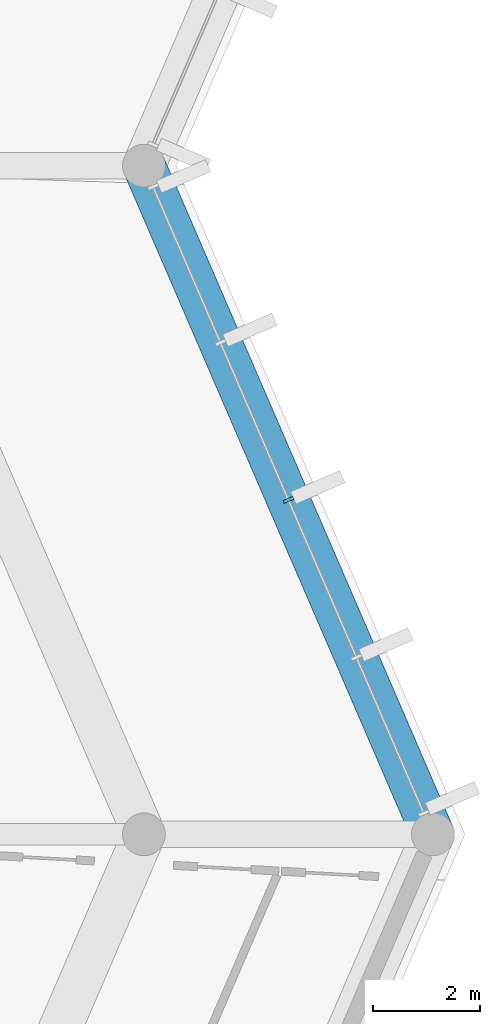
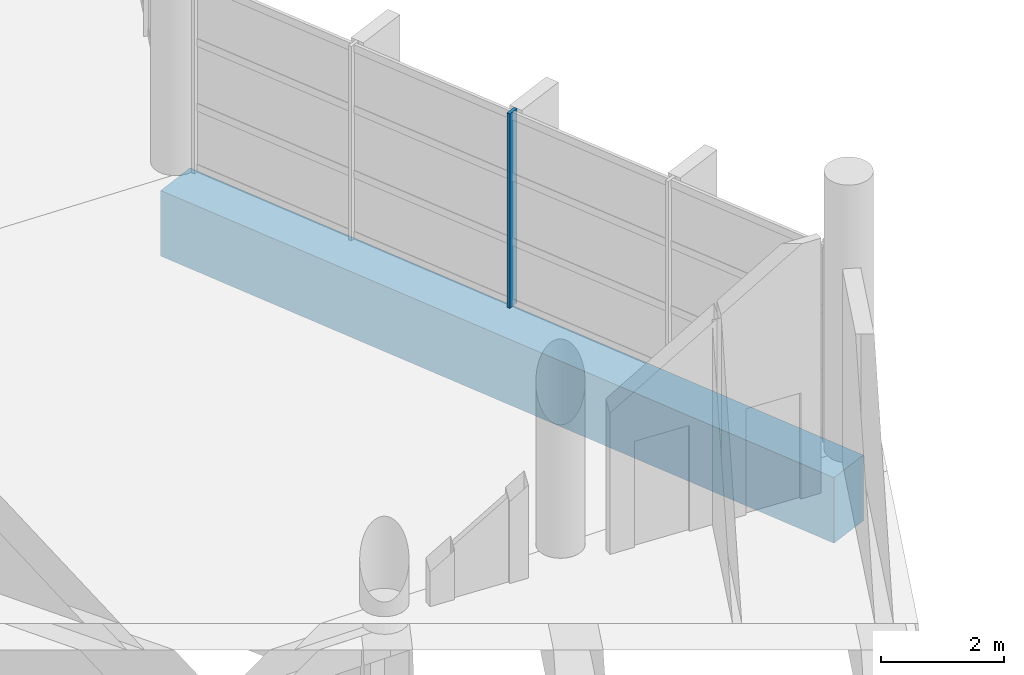
# One storey, part 62 of 271: 1 beam, 1 member, 1 element without a shape of its own.
"""IFC4 building model written with IfcOpenShell, lengths in metres."""

from ifc_helpers import new_model, si_unit, direction, frame, origin, origin_2d, place, context, subcontext, project, spatial, rectangle, extrude, material, layer, layer_set, material_profile, profile_set, type_object, element, aggregate, save


model = new_model("IFC4")

# Units and contexts
model_context = context("Model", 3, precision=1e-05, world=origin(), true_north=direction((0.0, 1.0)))
body_context = subcontext(model_context, "Body", "Model", "MODEL_VIEW")
ifc_project = project(units=[si_unit("LENGTHUNIT", "METRE"), si_unit("AREAUNIT", "SQUARE_METRE"), si_unit("VOLUMEUNIT", "CUBIC_METRE"), si_unit("PLANEANGLEUNIT", "RADIAN"), si_unit("MASSUNIT", "GRAM", prefix="KILO")], contexts=[model_context])

# Site, building, storey
site_placement = place(None, origin())
site = spatial("IfcSite", under=ifc_project, at=site_placement, CompositionType="ELEMENT")
building_placement = place(site_placement, origin())
building = spatial("IfcBuilding", under=site, at=building_placement, Name="Meseta Stadium", CompositionType="ELEMENT")
storey_placement = place(building_placement, frame((0.0, 0.0, 6.5)))
storey = spatial("IfcBuildingStorey", under=building, at=storey_placement, Name="L01", CompositionType="ELEMENT", Elevation=6.5)

# Beam
ifc_material_1 = material(Name="Concrete C40/50", Category="concrete")
ifc_material_profile_1 = material_profile(ifc_material_1, rectangle(XDim=0.800048828125, YDim=1.300048828125, at=origin_2d()), Name="RC 800x1300")
ifc_profile_set_1 = profile_set([ifc_material_profile_1], Name="Concrete C40/50")
beam_type = type_object("IfcBeamType", Name="RC beam 800x1300", PredefinedType="BEAM", material=ifc_profile_set_1)
beam_placement = place(storey_placement, frame((113.39990234375, -31.25, -1.0), z_axis=(-0.396570645327, 0.918004206562, 0.0), x_axis=(-0.918004206562, -0.396570645327, 0.0)))
element("IfcBeam", 1, at=beam_placement, inside=storey, type_object=beam_type, Name="L01 ring beam frame 2 line O", PredefinedType="BEAM", context=body_context, shape_type="SweptSolid", body=[
    extrude(rectangle(XDim=0.800048828125, YDim=1.300048828125, at=origin_2d()), origin(), (0.0, 0.0, 1.0), 13.616455078125),
])

# Curtain wall, member
ifc_material_2 = material(Name="Aluminium", Category="aluminium")
ifc_layer = layer(ifc_material_2, 0.199951171875)
ifc_layer_set = layer_set([ifc_layer], Name="Ring shopfront curtain wall")
curtain_wall_type = type_object("IfcCurtainWallType", Name="Ring shopfront curtain wall", PredefinedType="NOTDEFINED", material=ifc_layer_set)
curtain_wall_placement = place(storey_placement, origin())
curtain_wall = element("IfcCurtainWall", 2, at=curtain_wall_placement, inside=storey, type_object=curtain_wall_type, Name="Ring glazing L01 F02", PredefinedType="NOTDEFINED")
ifc_material_3 = material(Name="Aluminium", Category="aluminium")
ifc_material_profile_2 = material_profile(ifc_material_3, rectangle(XDim=0.199951171875, YDim=0.06005859375, at=origin_2d()), Name="CW 200x60")
ifc_profile_set_2 = profile_set([ifc_material_profile_2], Name="Aluminium")
member_type = type_object("IfcMemberType", Name="Ring CW mullion 60x200", PredefinedType="MULLION", material=ifc_profile_set_2)
member_placement = place(storey_placement, frame((110.699951171875, -25.0, 0.0), z_axis=(0.0, 0.0, 1.0), x_axis=(-0.91799986854, -0.396580687073, 0.0)))
member = element("IfcMember", 3, at=member_placement, type_object=member_type, Name="CWR1 mullion 3", PredefinedType="MULLION", context=body_context, shape_type="SweptSolid", body=[
    extrude(rectangle(XDim=0.199951171875, YDim=0.06005859375, at=origin_2d()), origin(), (0.0, 0.0, 1.0), 3.85009765625),
])
aggregate(curtain_wall, [member])

save(model, "model.ifc")
